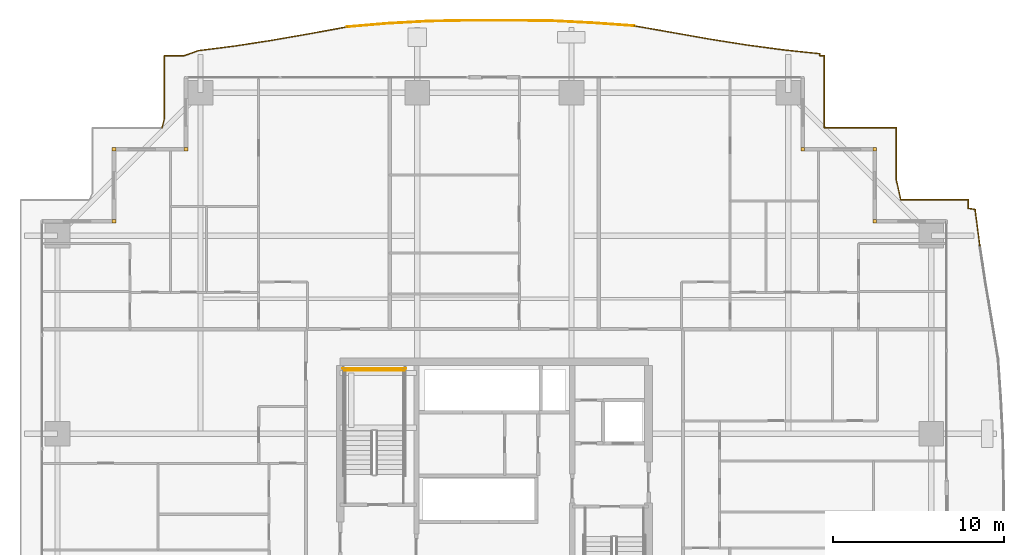
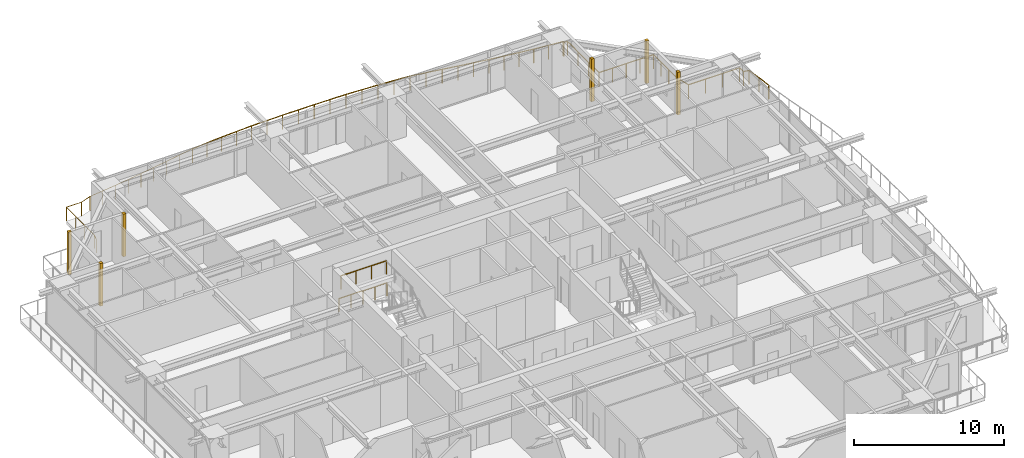
# One storey, part 37 of 37: 6 coverings, 6 railings.
"""IFC4 building model written with IfcOpenShell, lengths in metres."""

from ifc_helpers import new_model, si_unit, direction, frame, origin, origin_2d, place, context, subcontext, project, spatial, rectangle, circle, extrude, source, transform, mapped, material, layer, layer_set, type_object, element, save


model = new_model("IFC4")

# Units and contexts
model_context = context("Model", 3, precision=1e-05, world=origin(), true_north=direction((0.0, 1.0)))
body_context = subcontext(model_context, "Body", "Model", "MODEL_VIEW")
ifc_project = project(units=[si_unit("LENGTHUNIT", "METRE"), si_unit("AREAUNIT", "SQUARE_METRE"), si_unit("VOLUMEUNIT", "CUBIC_METRE"), si_unit("PLANEANGLEUNIT", "RADIAN"), si_unit("MASSUNIT", "GRAM", prefix="KILO")], contexts=[model_context])

# Site, building, storey
site_placement = place(None, origin())
site = spatial("IfcSite", under=ifc_project, at=site_placement, CompositionType="ELEMENT")
building_placement = place(site_placement, origin())
building = spatial("IfcBuilding", under=site, at=building_placement, Name="Serunith Strait Residences", CompositionType="ELEMENT")
storey_placement = place(building_placement, frame((0.0, 0.0, 26.699951171875)))
storey = spatial("IfcBuildingStorey", under=building, at=storey_placement, Name="L05", CompositionType="ELEMENT", Elevation=26.699951171875)

# Railings
ifc_material_1 = material(Name="Stainless Steel & Laminated Glass Balustrade", Category="steel")
railing_type_1 = type_object("IfcRailingType", Name="RLG-BALC-1150", PredefinedType="BALUSTRADE", material=ifc_material_1)
railing_1_placement = place(storey_placement, frame((13.00341796875, 47.260009765625, -0.050048828125)))
element("IfcRailing", 1, at=railing_1_placement, inside=storey, type_object=railing_type_1, Name="L05 Swirling Balcony Perimeter Balustrade 1", PredefinedType="BALUSTRADE", context=body_context, shape_type="SweptSolid", body=[
    extrude(circle(Radius=0.02392578125, at=origin_2d()), frame((0.00048828125, 0.001953125, 1.1259765625), z_axis=(0.256207487761, 0.966621809818, 0.0), x_axis=(-0.966621809818, 0.256207487761, 0.0)), (0.0, 0.0, 1.0), 0.528564453125),
    extrude(circle(Radius=0.02392578125, at=origin_2d()), frame((0.136474609375, 0.516845703125, 1.1259765625), z_axis=(0.0, 1.0, 0.0), x_axis=(-1.0, 0.0, 0.0)), (0.0, 0.0, 1.0), 3.68115234375),
    extrude(circle(Radius=0.02392578125, at=origin_2d()), frame((0.138427734375, 4.199951171875, 1.1259765625), z_axis=(1.0, 0.0, 0.0), x_axis=(0.0, 1.0, 0.0)), (0.0, 0.0, 1.0), 1.151123046875),
    extrude(circle(Radius=0.02392578125, at=origin_2d()), frame((1.29345703125, 4.20068359375, 1.1259765625), z_axis=(0.941439410602, 0.337182200251, 0.0), x_axis=(-0.337182200251, 0.941439410602, 0.0)), (0.0, 0.0, 1.0), 0.87353515625),
    extrude(circle(Radius=0.02392578125, at=origin_2d()), frame((2.11962890625, 4.49609375, 1.1259765625), z_axis=(0.992003367835, 0.126211402833, 0.0), x_axis=(-0.126211402833, 0.992003367835, 0.0)), (0.0, 0.0, 1.0), 2.135498046875),
    extrude(circle(Radius=0.02392578125, at=origin_2d()), frame((4.241943359375, 4.76611328125, 1.1259765625), z_axis=(0.988384727456, 0.151972466364, 0.0), x_axis=(-0.151972466364, 0.988384727456, 0.0)), (0.0, 0.0, 1.0), 2.16162109375),
    extrude(circle(Radius=0.02392578125, at=origin_2d()), frame((6.38232421875, 5.09521484375, 1.1259765625), z_axis=(0.985107764797, 0.171938046217, 0.0), x_axis=(-0.171938046217, 0.985107764797, 0.0)), (0.0, 0.0, 1.0), 2.205322265625),
    extrude(circle(Radius=0.02392578125, at=origin_2d()), frame((8.558837890625, 5.47509765625, 1.1259765625), z_axis=(0.983840647341, 0.179046308648, 0.0), x_axis=(-0.179046308648, 0.983840647341, 0.0)), (0.0, 0.0, 1.0), 2.266357421875),
    extrude(circle(Radius=0.02099609375, at=origin_2d()), origin(), (0.0, 0.0, 1.0), 1.099853515625),
    extrude(circle(Radius=0.02099609375, at=origin_2d()), frame((0.136474609375, 0.514892578125, 0.0)), (0.0, 0.0, 1.0), 1.099853515625),
    extrude(circle(Radius=0.02099609375, at=origin_2d()), frame((0.136474609375, 1.7431640625, 0.0)), (0.0, 0.0, 1.0), 1.099853515625),
    extrude(circle(Radius=0.02099609375, at=origin_2d()), frame((0.136474609375, 2.9716796875, 0.0)), (0.0, 0.0, 1.0), 1.099853515625),
    extrude(circle(Radius=0.02099609375, at=origin_2d()), frame((0.136474609375, 4.199951171875, 0.0)), (0.0, 0.0, 1.0), 1.099853515625),
    extrude(circle(Radius=0.02099609375, at=origin_2d()), frame((1.29150390625, 4.199951171875, 0.0)), (0.0, 0.0, 1.0), 1.099853515625),
    extrude(circle(Radius=0.02099609375, at=origin_2d()), frame((2.11767578125, 4.495849609375, 0.0)), (0.0, 0.0, 1.0), 1.099853515625),
    extrude(circle(Radius=0.02099609375, at=origin_2d()), frame((3.1787109375, 4.630859375, 0.0)), (0.0, 0.0, 1.0), 1.099853515625),
    extrude(circle(Radius=0.02099609375, at=origin_2d()), frame((4.239990234375, 4.765869140625, 0.0)), (0.0, 0.0, 1.0), 1.099853515625),
    extrude(circle(Radius=0.02099609375, at=origin_2d()), frame((5.31005859375, 4.930419921875, 0.0)), (0.0, 0.0, 1.0), 1.099853515625),
    extrude(circle(Radius=0.02099609375, at=origin_2d()), frame((6.38037109375, 5.094970703125, 0.0)), (0.0, 0.0, 1.0), 1.099853515625),
    extrude(circle(Radius=0.02099609375, at=origin_2d()), frame((7.46875, 5.284912109375, 0.0)), (0.0, 0.0, 1.0), 1.099853515625),
    extrude(circle(Radius=0.02099609375, at=origin_2d()), frame((8.556884765625, 5.474853515625, 0.0)), (0.0, 0.0, 1.0), 1.099853515625),
    extrude(circle(Radius=0.02099609375, at=origin_2d()), frame((9.673828125, 5.67822265625, 0.0)), (0.0, 0.0, 1.0), 1.099853515625),
    extrude(circle(Radius=0.02099609375, at=origin_2d()), frame((10.79052734375, 5.88134765625, 0.0)), (0.0, 0.0, 1.0), 1.099853515625),
])
railing_2_placement = place(storey_placement, frame((23.7939453125, 53.141357421875, -0.050048828125)))
element("IfcRailing", 2, at=railing_2_placement, inside=storey, type_object=railing_type_1, Name="L05 Swirling Balcony Perimeter Balustrade 2", PredefinedType="BALUSTRADE", context=body_context, shape_type="SweptSolid", body=[
    extrude(circle(Radius=0.02392578125, at=origin_2d()), frame((0.001953125, 0.000244140625, 1.1259765625), z_axis=(0.996370776715, 0.085119182962, 0.0), x_axis=(-0.085119182962, 0.996370776715, 0.0)), (0.0, 0.0, 1.0), 2.353759765625),
    extrude(circle(Radius=0.02392578125, at=origin_2d()), frame((2.35107421875, 0.20068359375, 1.1259765625), z_axis=(0.998480038069, 0.055114549597, 0.0), x_axis=(-0.055114549597, 0.998480038069, 0.0)), (0.0, 0.0, 1.0), 2.392578125),
    extrude(circle(Radius=0.02392578125, at=origin_2d()), frame((4.743896484375, 0.332763671875, 1.1259765625), z_axis=(0.999819958859, 0.018974980039, 0.0), x_axis=(-0.018974980039, 0.999819958859, 0.0)), (0.0, 0.0, 1.0), 2.414794921875),
    extrude(circle(Radius=0.02392578125, at=origin_2d()), frame((7.162353515625, 0.378662109375, 1.1259765625), z_axis=(1.0, 0.0, 0.0), x_axis=(0.0, 1.0, 0.0)), (0.0, 0.0, 1.0), 2.4248046875),
    extrude(circle(Radius=0.02392578125, at=origin_2d()), frame((9.591064453125, 0.378662109375, 1.1259765625), z_axis=(0.999937390621, -0.011189943579, 0.0), x_axis=(0.011189943579, 0.999937390621, 0.0)), (0.0, 0.0, 1.0), 2.417724609375),
    extrude(circle(Radius=0.02392578125, at=origin_2d()), frame((12.0126953125, 0.3515625, 1.1259765625), z_axis=(0.998712476955, -0.050728575529, 0.0), x_axis=(0.050728575529, 0.998712476955, 0.0)), (0.0, 0.0, 1.0), 2.3974609375),
    extrude(circle(Radius=0.02392578125, at=origin_2d()), frame((14.4111328125, 0.2294921875, 1.1259765625), z_axis=(0.997456608021, -0.07127632928, 0.0), x_axis=(0.07127632928, 0.997456608021, 0.0)), (0.0, 0.0, 1.0), 2.3662109375),
    extrude(circle(Radius=0.02099609375, at=origin_2d()), origin(), (0.0, 0.0, 1.0), 1.099853515625),
    extrude(circle(Radius=0.02099609375, at=origin_2d()), frame((1.174560546875, 0.100341796875, 0.0)), (0.0, 0.0, 1.0), 1.099853515625),
    extrude(circle(Radius=0.02099609375, at=origin_2d()), frame((2.34912109375, 0.20068359375, 0.0)), (0.0, 0.0, 1.0), 1.099853515625),
    extrude(circle(Radius=0.02099609375, at=origin_2d()), frame((3.54541015625, 0.2666015625, 0.0)), (0.0, 0.0, 1.0), 1.099853515625),
    extrude(circle(Radius=0.02099609375, at=origin_2d()), frame((4.741943359375, 0.332763671875, 0.0)), (0.0, 0.0, 1.0), 1.099853515625),
    extrude(circle(Radius=0.02099609375, at=origin_2d()), frame((5.951171875, 0.355712890625, 0.0)), (0.0, 0.0, 1.0), 1.099853515625),
    extrude(circle(Radius=0.02099609375, at=origin_2d()), frame((7.160400390625, 0.378662109375, 0.0)), (0.0, 0.0, 1.0), 1.099853515625),
    extrude(circle(Radius=0.02099609375, at=origin_2d()), frame((8.374755859375, 0.378662109375, 0.0)), (0.0, 0.0, 1.0), 1.099853515625),
    extrude(circle(Radius=0.02099609375, at=origin_2d()), frame((9.589111328125, 0.378662109375, 0.0)), (0.0, 0.0, 1.0), 1.099853515625),
    extrude(circle(Radius=0.02099609375, at=origin_2d()), frame((10.7998046875, 0.365234375, 0.0)), (0.0, 0.0, 1.0), 1.099853515625),
    extrude(circle(Radius=0.02099609375, at=origin_2d()), frame((12.0107421875, 0.3515625, 0.0)), (0.0, 0.0, 1.0), 1.099853515625),
    extrude(circle(Radius=0.02099609375, at=origin_2d()), frame((13.2099609375, 0.29052734375, 0.0)), (0.0, 0.0, 1.0), 1.099853515625),
    extrude(circle(Radius=0.02099609375, at=origin_2d()), frame((14.4091796875, 0.229736328125, 0.0)), (0.0, 0.0, 1.0), 1.099853515625),
    extrude(circle(Radius=0.02099609375, at=origin_2d()), frame((15.59130859375, 0.145263671875, 0.0)), (0.0, 0.0, 1.0), 1.099853515625),
    extrude(circle(Radius=0.02099609375, at=origin_2d()), frame((16.7734375, 0.060791015625, 0.0)), (0.0, 0.0, 1.0), 1.099853515625),
])
railing_3_placement = place(storey_placement, frame((40.5673828125, 53.2021484375, -0.050048828125)))
element("IfcRailing", 3, at=railing_3_placement, inside=storey, type_object=railing_type_1, Name="L05 Swirling Balcony Perimeter Balustrade 3", PredefinedType="BALUSTRADE", context=body_context, shape_type="SweptSolid", body=[
    extrude(circle(Radius=0.02392578125, at=origin_2d()), frame((0.001953125, -0.000244140625, 1.1259765625), z_axis=(0.985277557416, -0.170962378469, 0.0), x_axis=(0.170962378469, 0.985277557416, 0.0)), (0.0, 0.0, 1.0), 2.28076171875),
    extrude(circle(Radius=0.02392578125, at=origin_2d()), frame((2.253173828125, -0.390869140625, 1.1259765625), z_axis=(0.984653759187, -0.174519266901, 0.0), x_axis=(0.174519266901, 0.984653759187, 0.0)), (0.0, 0.0, 1.0), 2.216064453125),
    extrude(circle(Radius=0.02392578125, at=origin_2d()), frame((4.439208984375, -0.7783203125, 1.1259765625), z_axis=(0.987689049808, -0.156429987181, 0.0), x_axis=(0.156429987181, 0.987689049808, 0.0)), (0.0, 0.0, 1.0), 2.16845703125),
    extrude(circle(Radius=0.02392578125, at=origin_2d()), frame((6.5849609375, -1.1181640625, 1.1259765625), z_axis=(0.991337980419, -0.131335481032, 0.0), x_axis=(0.131335481032, 0.991337980419, 0.0)), (0.0, 0.0, 1.0), 2.139404296875),
    extrude(circle(Radius=0.02392578125, at=origin_2d()), frame((8.709716796875, -1.399658203125, 1.1259765625), z_axis=(0.994456969107, -0.105144360737, 0.0), x_axis=(0.105144360737, 0.994456969107, 0.0)), (0.0, 0.0, 1.0), 2.125244140625),
    extrude(circle(Radius=0.02392578125, at=origin_2d()), frame((10.8251953125, -1.625244140625, 1.1259765625), z_axis=(-0.006160047393, -0.999981026728, 0.0), x_axis=(0.999981026728, -0.006160047393, 0.0)), (0.0, 0.0, 1.0), 0.114990234375),
    extrude(circle(Radius=0.02392578125, at=origin_2d()), frame((10.826416015625, -1.7421875, 1.1259765625), z_axis=(1.0, 0.0, 0.0), x_axis=(0.0, 1.0, 0.0)), (0.0, 0.0, 1.0), 0.26416015625),
    extrude(circle(Radius=0.02392578125, at=origin_2d()), frame((11.092529296875, -1.744140625, 1.1259765625), z_axis=(0.0, -1.0, 0.0), x_axis=(1.0, 0.0, 0.0)), (0.0, 0.0, 1.0), 4.196044921875),
    extrude(circle(Radius=0.02099609375, at=origin_2d()), origin(), (0.0, 0.0, 1.0), 1.099853515625),
    extrude(circle(Radius=0.02099609375, at=origin_2d()), frame((1.12548828125, -0.1953125, 0.0)), (0.0, 0.0, 1.0), 1.099853515625),
    extrude(circle(Radius=0.02099609375, at=origin_2d()), frame((2.251220703125, -0.390625, 0.0)), (0.0, 0.0, 1.0), 1.099853515625),
    extrude(circle(Radius=0.02099609375, at=origin_2d()), frame((3.34423828125, -0.58447265625, 0.0)), (0.0, 0.0, 1.0), 1.099853515625),
    extrude(circle(Radius=0.02099609375, at=origin_2d()), frame((4.437255859375, -0.778076171875, 0.0)), (0.0, 0.0, 1.0), 1.099853515625),
    extrude(circle(Radius=0.02099609375, at=origin_2d()), frame((5.51025390625, -0.947998046875, 0.0)), (0.0, 0.0, 1.0), 1.099853515625),
    extrude(circle(Radius=0.02099609375, at=origin_2d()), frame((6.5830078125, -1.117919921875, 0.0)), (0.0, 0.0, 1.0), 1.099853515625),
    extrude(circle(Radius=0.02099609375, at=origin_2d()), frame((7.6455078125, -1.2587890625, 0.0)), (0.0, 0.0, 1.0), 1.099853515625),
    extrude(circle(Radius=0.02099609375, at=origin_2d()), frame((8.707763671875, -1.3994140625, 0.0)), (0.0, 0.0, 1.0), 1.099853515625),
    extrude(circle(Radius=0.02099609375, at=origin_2d()), frame((9.7666015625, -1.51123046875, 0.0)), (0.0, 0.0, 1.0), 1.099853515625),
    extrude(circle(Radius=0.02099609375, at=origin_2d()), frame((10.8251953125, -1.623291015625, 0.0)), (0.0, 0.0, 1.0), 1.099853515625),
    extrude(circle(Radius=0.02099609375, at=origin_2d()), frame((10.824462890625, -1.7421875, 0.0)), (0.0, 0.0, 1.0), 1.099853515625),
    extrude(circle(Radius=0.02099609375, at=origin_2d()), frame((11.092529296875, -1.7421875, 0.0)), (0.0, 0.0, 1.0), 1.099853515625),
    extrude(circle(Radius=0.02099609375, at=origin_2d()), frame((11.092529296875, -3.14208984375, 0.0)), (0.0, 0.0, 1.0), 1.099853515625),
    extrude(circle(Radius=0.02099609375, at=origin_2d()), frame((11.092529296875, -4.542236328125, 0.0)), (0.0, 0.0, 1.0), 1.099853515625),
    extrude(circle(Radius=0.02099609375, at=origin_2d()), frame((11.092529296875, -5.942138671875, 0.0)), (0.0, 0.0, 1.0), 1.099853515625),
])
railing_4_placement = place(storey_placement, frame((51.659912109375, 47.260009765625, -0.050048828125)))
element("IfcRailing", 4, at=railing_4_placement, inside=storey, type_object=railing_type_1, Name="L05 Swirling Balcony Perimeter Balustrade 4", PredefinedType="BALUSTRADE", context=body_context, shape_type="SweptSolid", body=[
    extrude(circle(Radius=0.02392578125, at=origin_2d()), frame((0.001953125, 0.0, 1.1259765625), z_axis=(1.0, 0.0, 0.0), x_axis=(0.0, 1.0, 0.0)), (0.0, 0.0, 1.0), 4.1962890625),
    extrude(circle(Radius=0.02392578125, at=origin_2d()), frame((4.2001953125, -0.001953125, 1.1259765625), z_axis=(0.0, -1.0, 0.0), x_axis=(1.0, 0.0, 0.0)), (0.0, 0.0, 1.0), 3.04638671875),
    extrude(circle(Radius=0.02392578125, at=origin_2d()), frame((4.20068359375, -3.05224609375, 1.1259765625), z_axis=(0.22275734566, -0.974873922594, 0.0), x_axis=(0.974873922594, 0.22275734566, 0.0)), (0.0, 0.0, 1.0), 1.17529296875),
    extrude(circle(Radius=0.02392578125, at=origin_2d()), frame((4.46484375, -4.199951171875, 1.1259765625), z_axis=(1.0, 0.0, 0.0), x_axis=(0.0, 1.0, 0.0)), (0.0, 0.0, 1.0), 3.933349609375),
    extrude(circle(Radius=0.02392578125, at=origin_2d()), frame((8.400146484375, -4.201904296875, 1.1259765625), z_axis=(0.0, -1.0, 0.0), x_axis=(1.0, 0.0, 0.0)), (0.0, 0.0, 1.0), 0.504150390625),
    extrude(circle(Radius=0.02392578125, at=origin_2d()), frame((8.402099609375, -4.708251953125, 1.1259765625), z_axis=(0.9872964163, -0.158889226702, 0.0), x_axis=(0.158889226702, 0.9872964163, 0.0)), (0.0, 0.0, 1.0), 0.398681640625),
    extrude(circle(Radius=0.02392578125, at=origin_2d()), frame((8.7978515625, -4.77392578125, 1.1259765625), z_axis=(0.12901816084, -0.991642230935, 0.0), x_axis=(0.991642230935, 0.12901816084, 0.0)), (0.0, 0.0, 1.0), 2.141845703125),
    extrude(circle(Radius=0.02099609375, at=origin_2d()), origin(), (0.0, 0.0, 1.0), 1.099853515625),
    extrude(circle(Radius=0.02099609375, at=origin_2d()), frame((1.050048828125, 0.0, 0.0)), (0.0, 0.0, 1.0), 1.099853515625),
    extrude(circle(Radius=0.02099609375, at=origin_2d()), frame((2.10009765625, 0.0, 0.0)), (0.0, 0.0, 1.0), 1.099853515625),
    extrude(circle(Radius=0.02099609375, at=origin_2d()), frame((3.150146484375, 0.0, 0.0)), (0.0, 0.0, 1.0), 1.099853515625),
    extrude(circle(Radius=0.02099609375, at=origin_2d()), frame((4.2001953125, 0.0, 0.0)), (0.0, 0.0, 1.0), 1.099853515625),
    extrude(circle(Radius=0.02099609375, at=origin_2d()), frame((4.2001953125, -1.016845703125, 0.0)), (0.0, 0.0, 1.0), 1.099853515625),
    extrude(circle(Radius=0.02099609375, at=origin_2d()), frame((4.2001953125, -2.033447265625, 0.0)), (0.0, 0.0, 1.0), 1.099853515625),
    extrude(circle(Radius=0.02099609375, at=origin_2d()), frame((4.2001953125, -3.05029296875, 0.0)), (0.0, 0.0, 1.0), 1.099853515625),
    extrude(circle(Radius=0.02099609375, at=origin_2d()), frame((4.462890625, -4.199951171875, 0.0)), (0.0, 0.0, 1.0), 1.099853515625),
    extrude(circle(Radius=0.02099609375, at=origin_2d()), frame((5.775390625, -4.199951171875, 0.0)), (0.0, 0.0, 1.0), 1.099853515625),
    extrude(circle(Radius=0.02099609375, at=origin_2d()), frame((7.087646484375, -4.199951171875, 0.0)), (0.0, 0.0, 1.0), 1.099853515625),
    extrude(circle(Radius=0.02099609375, at=origin_2d()), frame((8.400146484375, -4.199951171875, 0.0)), (0.0, 0.0, 1.0), 1.099853515625),
    extrude(circle(Radius=0.02099609375, at=origin_2d()), frame((8.400146484375, -4.7080078125, 0.0)), (0.0, 0.0, 1.0), 1.099853515625),
    extrude(circle(Radius=0.02099609375, at=origin_2d()), frame((8.797607421875, -4.77197265625, 0.0)), (0.0, 0.0, 1.0), 1.099853515625),
    extrude(circle(Radius=0.02099609375, at=origin_2d()), frame((8.93603515625, -5.8359375, 0.0)), (0.0, 0.0, 1.0), 1.099853515625),
    extrude(circle(Radius=0.02099609375, at=origin_2d()), frame((9.074462890625, -6.89990234375, 0.0)), (0.0, 0.0, 1.0), 1.099853515625),
])
ifc_material_2 = material(Name="Brushed stainless steel 316L", Category="steel")
railing_type_2 = type_object("IfcRailingType", Name="RLG-STAIR-GUARD", PredefinedType="BALUSTRADE", material=ifc_material_2)
railing_5_placement = place(storey_placement, frame((27.14990234375, 33.10009765625, 1.875)))
element("IfcRailing", 5, at=railing_5_placement, inside=storey, type_object=railing_type_2, Name="L05 ST-1 stair guard 5", PredefinedType="BALUSTRADE", context=body_context, shape_type="SweptSolid", body=[
    extrude(circle(Radius=0.02392578125, at=origin_2d()), frame((-0.001953125, 0.0, 1.076171875), z_axis=(-1.0, 0.0, 0.0), x_axis=(0.0, -1.0, 0.0)), (0.0, 0.0, 1.0), 3.49609375),
    extrude(circle(Radius=0.02099609375, at=origin_2d()), origin(), (0.0, 0.0, 1.0), 1.050048828125),
    extrude(circle(Radius=0.02099609375, at=origin_2d()), frame((-1.166748046875, 0.0, 0.0)), (0.0, 0.0, 1.0), 1.050048828125),
    extrude(circle(Radius=0.02099609375, at=origin_2d()), frame((-2.333251953125, 0.0, 0.0)), (0.0, 0.0, 1.0), 1.050048828125),
    extrude(circle(Radius=0.02099609375, at=origin_2d()), frame((-3.5, 0.0, 0.0)), (0.0, 0.0, 1.0), 1.050048828125),
])
railing_6_placement = place(storey_placement, frame((27.25, 33.199951171875, 0.0)))
element("IfcRailing", 6, at=railing_6_placement, inside=storey, type_object=railing_type_2, Name="L05 ST-1 stair guard 12", PredefinedType="BALUSTRADE", context=body_context, shape_type="SweptSolid", body=[
    extrude(circle(Radius=0.02392578125, at=origin_2d()), frame((-0.001953125, 0.0, 1.076171875), z_axis=(-1.0, 0.0, 0.0), x_axis=(0.0, -1.0, 0.0)), (0.0, 0.0, 1.0), 3.696044921875),
    extrude(circle(Radius=0.02099609375, at=origin_2d()), origin(), (0.0, 0.0, 1.0), 1.050048828125),
    extrude(circle(Radius=0.02099609375, at=origin_2d()), frame((-0.925048828125, 0.0, 0.0)), (0.0, 0.0, 1.0), 1.050048828125),
    extrude(circle(Radius=0.02099609375, at=origin_2d()), frame((-1.85009765625, 0.0, 0.0)), (0.0, 0.0, 1.0), 1.050048828125),
    extrude(circle(Radius=0.02099609375, at=origin_2d()), frame((-2.77490234375, 0.0, 0.0)), (0.0, 0.0, 1.0), 1.050048828125),
    extrude(circle(Radius=0.02099609375, at=origin_2d()), frame((-3.699951171875, 0.0, 0.0)), (0.0, 0.0, 1.0), 1.050048828125),
])

# Coverings
ifc_material_3 = material(Name="Pale-Champagne Anodised Aluminium", Category="aluminium")
ifc_layer = layer(ifc_material_3, 0.219970703125, Name="Pale-Champagne Anodised Aluminium")
ifc_layer_set = layer_set([ifc_layer], Name="Pale-Champagne Anodised Aluminium")
covering_type = type_object("IfcCoveringType", Name="COV-CORN-TRIM", PredefinedType="CLADDING", material=ifc_layer_set)
shared_shape = source(origin(), body_context, "Body", "SweptSolid", [
    extrude(rectangle(XDim=0.221923828125, YDim=0.221923828125, at=origin_2d()), origin(), (0.0, 0.0, 1.0), 3.47509765625),
])
for number, where, z_axis, x_axis, name in (
    (7, (54.60009765625, 41.800048828125, 0.0), (0.0, 0.0, 1.0), (1.0, 0.0, 0.0), "L05 Girih Serrated Corner Trim Post 07"),
    (8, (54.60009765625, 46.0, 0.0), (0.0, 0.0, 1.0), (1.0, 0.0, 0.0), "L05 Girih Serrated Corner Trim Post 08"),
    (9, (50.39990234375, 46.0, 0.0), (0.0, 0.0, 1.0), (1.0, 0.0, 0.0), "L05 Girih Serrated Corner Trim Post 09"),
    (10, (14.39990234375, 46.0, 0.0), (0.0, 0.0, 1.0), (1.0, 0.0, 0.0), "L05 Girih Serrated Corner Trim Post 12"),
    (11, (10.199951171875, 46.0, 0.0), (0.0, 0.0, 1.0), (1.0, 0.0, 0.0), "L05 Girih Serrated Corner Trim Post 13"),
    (12, (10.199951171875, 41.800048828125, 0.0), (0.0, 0.0, 1.0), (1.0, 0.0, 0.0), "L05 Girih Serrated Corner Trim Post 14"),
):
    element("IfcCovering", number, at=place(storey_placement, frame(where, z_axis=z_axis, x_axis=x_axis)), inside=storey, type_object=covering_type, Name=name, PredefinedType="CLADDING", context=body_context, shape_type="MappedRepresentation", body=[
        mapped(shared_shape, transform((0.0, 0.0, 0.0), scale=1.0)),
    ])

save(model, "model.ifc")
